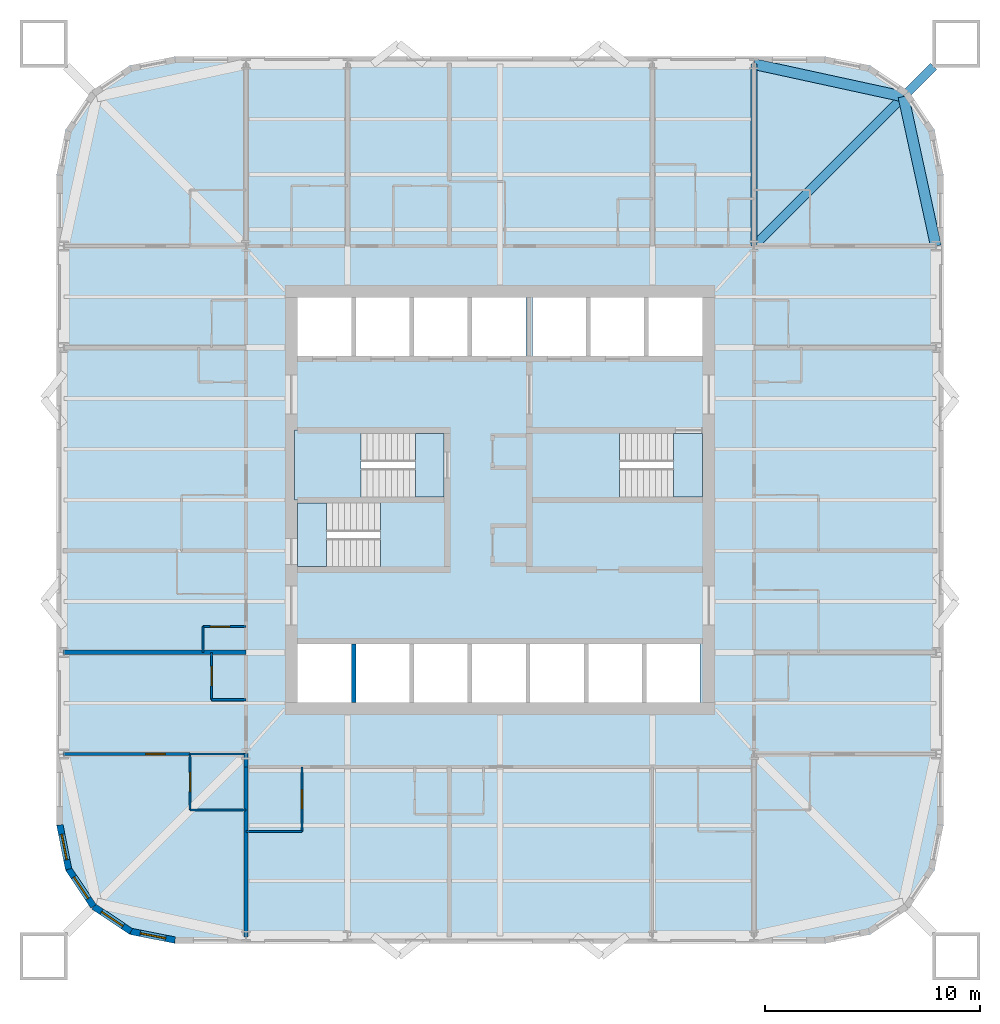
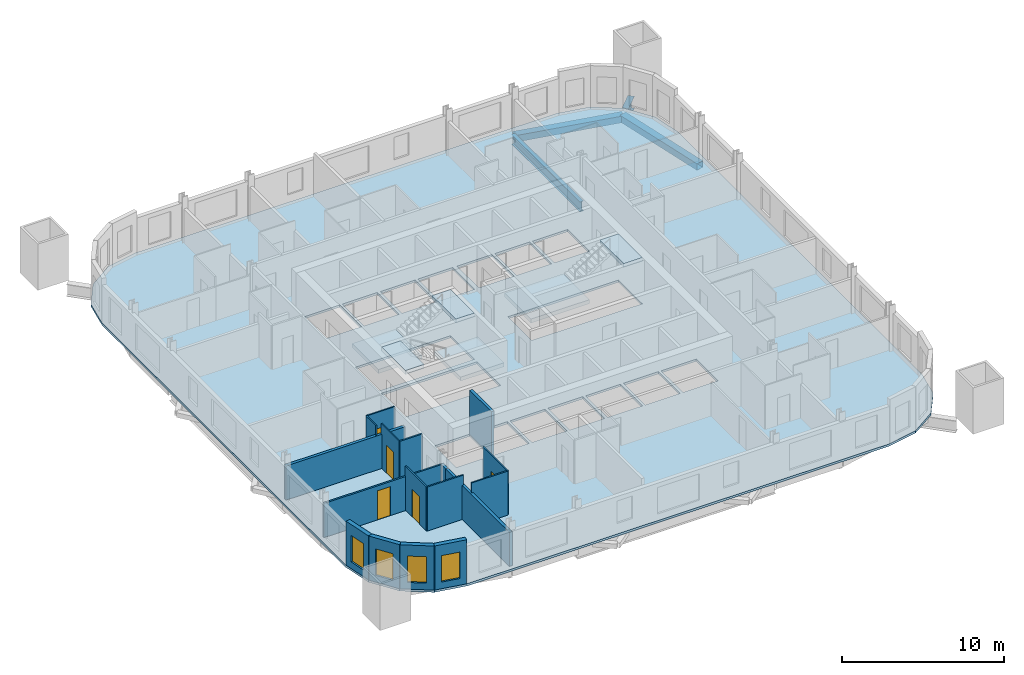
# One storey, part 2 of 9: 18 walls, 7 slabs, 5 doors, 4 beams, 4 windows, 9 openings, 3 elements without a shape of their own.
"""IFC4 building model written with IfcOpenShell, lengths in metres."""

from ifc_helpers import new_model, si_unit, direction, frame, frame_2d, origin, origin_2d, place, context, subcontext, project, spatial, polyline, rectangle, hollow_rectangle, i_section, outline, extrude, material, layer, layer_set, material_profile, profile_set, type_object, element, fill, aggregate, save


model = new_model("IFC4")

# Units and contexts
model_context = context("Model", 3, precision=1e-05, world=origin(), true_north=direction((0.0, 1.0)))
body_context = subcontext(model_context, "Body", "Model", "MODEL_VIEW")
ifc_project = project(units=[si_unit("LENGTHUNIT", "METRE"), si_unit("AREAUNIT", "SQUARE_METRE"), si_unit("VOLUMEUNIT", "CUBIC_METRE"), si_unit("PLANEANGLEUNIT", "RADIAN"), si_unit("MASSUNIT", "GRAM", prefix="KILO")], contexts=[model_context])

# Site, building, storey
site_placement = place(None, origin())
site = spatial("IfcSite", under=ifc_project, at=site_placement, CompositionType="ELEMENT")
building_placement = place(site_placement, origin())
building = spatial("IfcBuilding", under=site, at=building_placement, Name="Turquesa Mirador Hotel Tower", CompositionType="ELEMENT")
storey_placement = place(building_placement, frame((0.0, 0.0, 131.89990234375)))
storey = spatial("IfcBuildingStorey", under=building, at=storey_placement, Name="L35", CompositionType="ELEMENT", Elevation=131.89990234375)

# Beams
ifc_material_1 = material(Name="Steel ASTM A572 Grade 50", Category="steel")
ifc_material_profile_1 = material_profile(ifc_material_1, hollow_rectangle(XDim=0.5, YDim=0.5, WallThickness=0.01611328125, at=origin_2d()), Name="BOX500X500X16")
ifc_profile_set_1 = profile_set([ifc_material_profile_1], Name="Steel ASTM A572 Grade 50")
beam_type_1 = type_object("IfcBeamType", Name="BEAM BOX500X500X16", PredefinedType="BEAM", material=ifc_profile_set_1)
for number, where, z_axis, x_axis, name in (
    (1, (75.25, 56.800048828125, -0.419921875), (-0.212328336885, 0.977198381781, 0.0), (-0.977198381781, -0.212328336885, 0.0), "KE-L35-1-0"),
    (2, (73.74169921875, 63.74169921875, -0.419921875), (-0.977198381781, 0.212328336885, 0.0), (-0.212328336885, -0.977198381781, 0.0), "KE-L35-1-1"),
):
    element("IfcBeam", number, at=place(storey_placement, frame(where, z_axis=z_axis, x_axis=x_axis)), inside=storey, type_object=beam_type_1, Name=name, PredefinedType="BEAM", context=body_context, shape_type="SweptSolid", body=[
        extrude(hollow_rectangle(XDim=0.5, YDim=0.5, WallThickness=0.01611328125, at=origin_2d()), origin(), (0.0, 0.0, 1.0), 7.103515625),
    ])
ifc_material_2 = material(Name="Steel ASTM A992 Grade 50", Category="steel")
ifc_material_profile_2 = material_profile(ifc_material_2, i_section(OverallWidth=0.2666015625, OverallDepth=0.7568359375, WebThickness=0.013916015625, FlangeThickness=0.019287109375, at=origin_2d()), Name="W30X108")
ifc_profile_set_2 = profile_set([ifc_material_profile_2], Name="Steel ASTM A992 Grade 50")
beam_type_2 = type_object("IfcBeamType", Name="BEAM W30X108", PredefinedType="BEAM", material=ifc_profile_set_2)
beam_1_placement = place(storey_placement, frame((66.800048828125, 65.25, -0.54833984375), z_axis=(0.0, -1.0, 0.0), x_axis=(1.0, 0.0, 0.0)))
element("IfcBeam", 3, at=beam_1_placement, inside=storey, type_object=beam_type_2, Name="GK-L35-N-+11.80", PredefinedType="BEAM", context=body_context, shape_type="SweptSolid", body=[
    extrude(i_section(OverallWidth=0.2666015625, OverallDepth=0.7568359375, WebThickness=0.013916015625, FlangeThickness=0.019287109375, at=origin_2d()), origin(), (0.0, 0.0, 1.0), 8.449951171875),
])
ifc_material_3 = material(Name="Steel ASTM A992 Grade 50", Category="steel")
ifc_material_profile_3 = material_profile(ifc_material_3, i_section(OverallWidth=0.419189453125, OverallDepth=0.927001953125, WebThickness=0.019287109375, FlangeThickness=0.031982421875, at=origin_2d()), Name="W36X231")
ifc_profile_set_3 = profile_set([ifc_material_profile_3], Name="Steel ASTM A992 Grade 50")
beam_type_3 = type_object("IfcBeamType", Name="BEAM W36X231", PredefinedType="BEAM", material=ifc_profile_set_3)
beam_2_placement = place(storey_placement, frame((66.800048828125, 56.800048828125, -0.633544921875), z_axis=(0.707106781187, 0.707106781187, 0.0), x_axis=(-0.707106781187, 0.707106781187, 0.0)))
element("IfcBeam", 4, at=beam_2_placement, inside=storey, type_object=beam_type_3, Name="KD-L35-1", PredefinedType="BEAM", context=body_context, shape_type="SweptSolid", body=[
    extrude(i_section(OverallWidth=0.419189453125, OverallDepth=0.927001953125, WebThickness=0.019287109375, FlangeThickness=0.031982421875, at=origin_2d()), origin(), (0.0, 0.0, 1.0), 11.80859375),
])

# Slab
ifc_material_4 = material(Name="Concrete C28/35", Category="concrete")
ifc_layer_1 = layer(ifc_material_4, 0.169921875)
ifc_layer_set_1 = layer_set([ifc_layer_1], Name="COMPOSITE FLOOR SLAB 170")
slab_type_1 = type_object("IfcSlabType", Name="COMPOSITE FLOOR SLAB 170", PredefinedType="FLOOR", material=ifc_layer_set_1)
slab_1_placement = place(storey_placement, frame((0.0, 0.0, -0.169921875)))
element("IfcSlab", 5, at=slab_1_placement, inside=storey, type_object=slab_type_1, Name="Floor slab L35", PredefinedType="FLOOR", context=body_context, shape_type="SweptSolid", body=[
    extrude(outline(polyline([(70.10009765625, 24.39990234375), (72.204833984375, 24.818603515625), (73.989013671875, 26.010986328125), (75.181396484375, 27.795166015625), (75.60009765625, 29.89990234375), (75.60009765625, 60.10009765625), (75.181396484375, 62.204833984375), (73.989013671875, 63.989013671875), (72.204833984375, 65.181396484375), (70.10009765625, 65.60009765625), (39.89990234375, 65.60009765625), (37.795166015625, 65.181396484375), (36.010986328125, 63.989013671875), (34.818603515625, 62.204833984375), (34.39990234375, 60.10009765625), (34.39990234375, 29.89990234375), (34.818603515625, 27.795166015625), (36.010986328125, 26.010986328125), (37.795166015625, 24.818603515625), (39.89990234375, 24.39990234375), (70.10009765625, 24.39990234375)]), holes=[polyline([(45.60009765625, 51.699951171875), (48.10009765625, 51.699951171875), (48.10009765625, 54.39990234375), (45.60009765625, 54.39990234375), (45.60009765625, 51.699951171875)]), polyline([(48.300048828125, 51.699951171875), (50.800048828125, 51.699951171875), (50.800048828125, 54.39990234375), (48.300048828125, 54.39990234375), (48.300048828125, 51.699951171875)]), polyline([(51.0, 51.699951171875), (53.5, 51.699951171875), (53.5, 54.39990234375), (51.0, 54.39990234375), (51.0, 51.699951171875)]), polyline([(53.699951171875, 51.699951171875), (56.199951171875, 51.699951171875), (56.199951171875, 54.39990234375), (53.699951171875, 54.39990234375), (53.699951171875, 51.699951171875)]), polyline([(56.5, 51.699951171875), (59.0, 51.699951171875), (59.0, 54.39990234375), (56.5, 54.39990234375), (56.5, 51.699951171875)]), polyline([(59.199951171875, 51.699951171875), (61.699951171875, 51.699951171875), (61.699951171875, 54.39990234375), (59.199951171875, 54.39990234375), (59.199951171875, 51.699951171875)]), polyline([(45.60009765625, 35.60009765625), (48.10009765625, 35.60009765625), (48.10009765625, 38.300048828125), (45.60009765625, 38.300048828125), (45.60009765625, 35.60009765625)]), polyline([(48.300048828125, 35.60009765625), (50.800048828125, 35.60009765625), (50.800048828125, 38.300048828125), (48.300048828125, 38.300048828125), (48.300048828125, 35.60009765625)]), polyline([(51.0, 35.60009765625), (53.5, 35.60009765625), (53.5, 38.300048828125), (51.0, 38.300048828125), (51.0, 35.60009765625)]), polyline([(53.699951171875, 35.60009765625), (56.199951171875, 35.60009765625), (56.199951171875, 38.300048828125), (53.699951171875, 38.300048828125), (53.699951171875, 35.60009765625)]), polyline([(56.39990234375, 35.60009765625), (58.89990234375, 35.60009765625), (58.89990234375, 38.300048828125), (56.39990234375, 38.300048828125), (56.39990234375, 35.60009765625)]), polyline([(59.10009765625, 35.60009765625), (61.60009765625, 35.60009765625), (61.60009765625, 38.300048828125), (59.10009765625, 38.300048828125), (59.10009765625, 35.60009765625)]), polyline([(61.800048828125, 35.60009765625), (64.300048828125, 35.60009765625), (64.300048828125, 38.300048828125), (61.800048828125, 38.300048828125), (61.800048828125, 35.60009765625)]), polyline([(45.60009765625, 45.14990234375), (52.39990234375, 45.14990234375), (52.39990234375, 48.10009765625), (45.60009765625, 48.10009765625), (45.60009765625, 45.14990234375)]), polyline([(45.60009765625, 41.89990234375), (52.39990234375, 41.89990234375), (52.39990234375, 44.85009765625), (45.60009765625, 44.85009765625), (45.60009765625, 41.89990234375)]), polyline([(56.5, 45.14990234375), (64.39990234375, 45.14990234375), (64.39990234375, 48.10009765625), (56.5, 48.10009765625), (56.5, 45.14990234375)]), polyline([(61.89990234375, 51.699951171875), (64.39990234375, 51.699951171875), (64.39990234375, 54.39990234375), (61.89990234375, 54.39990234375), (61.89990234375, 51.699951171875)])]), origin(), (0.0, 0.0, 1.0), 0.169921875),
])

# Stair, slabs
ifc_material_5 = material(Name="Concrete C35/45", Category="concrete")
stair_type = type_object("IfcStairType", Name="ESCAPE STAIR CORE", PredefinedType="HALF_TURN_STAIR", material=ifc_material_5)
stair_1_placement = place(storey_placement, origin())
stair_1 = element("IfcStair", 6, at=stair_1_placement, inside=storey, type_object=stair_type, Name="Stair ST1 L35 to L36", PredefinedType="HALF_TURN_STAIR")
ifc_material_6 = material(Name="Concrete C35/45", Category="concrete")
ifc_layer_2 = layer(ifc_material_6, 0.300048828125)
ifc_layer_set_2 = layer_set([ifc_layer_2], Name="STAIR LANDING 300")
slab_type_2 = type_object("IfcSlabType", Name="STAIR LANDING 300", PredefinedType="LANDING", material=ifc_layer_set_2)
slab_2_placement = place(storey_placement, frame((0.0, 0.0, 1.4501953125)))
slab_2 = element("IfcSlab", 7, at=slab_2_placement, type_object=slab_type_2, Name="ST1 landing 1", PredefinedType="LANDING", context=body_context, shape_type="SweptSolid", body=[
    extrude(outline(polyline([(45.449951171875, 45.0), (48.550048828125, 45.0), (48.550048828125, 48.25), (45.449951171875, 48.25), (45.449951171875, 45.0)])), origin(), (0.0, 0.0, 1.0), 0.2998046875),
])
slab_3_placement = place(storey_placement, frame((0.0, 0.0, 3.2001953125)))
slab_3 = element("IfcSlab", 8, at=slab_3_placement, type_object=slab_type_2, Name="ST1 landing 2", PredefinedType="LANDING", context=body_context, shape_type="SweptSolid", body=[
    extrude(outline(polyline([(51.070068359375, 45.14990234375), (52.39990234375, 45.14990234375), (52.39990234375, 48.10009765625), (51.070068359375, 48.10009765625), (51.070068359375, 45.14990234375)])), origin(), (0.0, 0.0, 1.0), 0.2998046875),
])
aggregate(stair_1, [slab_2, slab_3])

stair_2_placement = place(storey_placement, origin())
stair_2 = element("IfcStair", 9, at=stair_2_placement, inside=storey, type_object=stair_type, Name="Stair ST2 L35 to L36", PredefinedType="HALF_TURN_STAIR")
slab_4_placement = place(storey_placement, frame((0.0, 0.0, 1.4501953125)))
slab_4 = element("IfcSlab", 10, at=slab_4_placement, type_object=slab_type_2, Name="ST2 landing 1", PredefinedType="LANDING", context=body_context, shape_type="SweptSolid", body=[
    extrude(outline(polyline([(52.550048828125, 45.0), (49.449951171875, 45.0), (49.449951171875, 41.75), (52.550048828125, 41.75), (52.550048828125, 45.0)])), origin(), (0.0, 0.0, 1.0), 0.2998046875),
])
slab_5_placement = place(storey_placement, frame((0.0, 0.0, 3.2001953125)))
slab_5 = element("IfcSlab", 11, at=slab_5_placement, type_object=slab_type_2, Name="ST2 landing 2", PredefinedType="LANDING", context=body_context, shape_type="SweptSolid", body=[
    extrude(outline(polyline([(46.929931640625, 44.85009765625), (45.60009765625, 44.85009765625), (45.60009765625, 41.89990234375), (46.929931640625, 41.89990234375), (46.929931640625, 44.85009765625)])), origin(), (0.0, 0.0, 1.0), 0.2998046875),
])
aggregate(stair_2, [slab_4, slab_5])

stair_3_placement = place(storey_placement, origin())
stair_3 = element("IfcStair", 12, at=stair_3_placement, inside=storey, type_object=stair_type, Name="Stair ST3 L35 to L36", PredefinedType="HALF_TURN_STAIR")
slab_6_placement = place(storey_placement, frame((0.0, 0.0, 1.4501953125)))
slab_6 = element("IfcSlab", 13, at=slab_6_placement, type_object=slab_type_2, Name="ST3 landing 1", PredefinedType="LANDING", context=body_context, shape_type="SweptSolid", body=[
    extrude(outline(polyline([(56.35009765625, 45.0), (60.550048828125, 45.0), (60.550048828125, 48.25), (56.35009765625, 48.25), (56.35009765625, 45.0)])), origin(), (0.0, 0.0, 1.0), 0.2998046875),
])
slab_7_placement = place(storey_placement, frame((0.0, 0.0, 3.2001953125)))
slab_7 = element("IfcSlab", 14, at=slab_7_placement, type_object=slab_type_2, Name="ST3 landing 2", PredefinedType="LANDING", context=body_context, shape_type="SweptSolid", body=[
    extrude(outline(polyline([(63.070068359375, 45.14990234375), (64.39990234375, 45.14990234375), (64.39990234375, 48.10009765625), (63.070068359375, 48.10009765625), (63.070068359375, 45.14990234375)])), origin(), (0.0, 0.0, 1.0), 0.2998046875),
])
aggregate(stair_3, [slab_6, slab_7])

# Walls
ifc_material_7 = material(Name="Gypsum board on steel studs", Category="steel")
ifc_layer_3 = layer(ifc_material_7, 0.10009765625)
ifc_layer_set_3 = layer_set([ifc_layer_3], Name="BATHROOM WALL 100")
wall_type_1 = type_object("IfcWallType", Name="BATHROOM WALL 100", PredefinedType="PARTITIONING", material=ifc_layer_set_3)
wall_1_placement = place(storey_placement, frame((40.60009765625, 33.199951171875, 0.0), z_axis=(0.0, 0.0, 1.0), x_axis=(1.0, 0.0, 0.0)))
element("IfcWall", 15, at=wall_1_placement, inside=storey, type_object=wall_type_1, Name="Partition L35 001", PredefinedType="PARTITIONING", context=body_context, shape_type="SweptSolid", body=[
    extrude(rectangle(XDim=2.599853515625, YDim=0.10009765625, at=frame_2d((1.2998046875, 0.0))), origin(), (0.0, 0.0, 1.0), 2.5732421875),
])
wall_2_placement = place(storey_placement, frame((40.60009765625, 30.60009765625, 0.0), z_axis=(0.0, 0.0, 1.0), x_axis=(1.0, 0.0, 0.0)))
element("IfcWall", 16, at=wall_2_placement, inside=storey, type_object=wall_type_1, Name="Partition L35 006", PredefinedType="PARTITIONING", context=body_context, shape_type="SweptSolid", body=[
    extrude(rectangle(XDim=2.599853515625, YDim=0.10009765625, at=frame_2d((1.2998046875, 0.0))), origin(), (0.0, 0.0, 1.0), 3.330078125),
])
wall_3_placement = place(storey_placement, frame((43.199951171875, 29.60009765625, 0.0), z_axis=(0.0, 0.0, 1.0), x_axis=(1.0, 0.0, 0.0)))
element("IfcWall", 17, at=wall_3_placement, inside=storey, type_object=wall_type_1, Name="Partition L35 010", PredefinedType="PARTITIONING", context=body_context, shape_type="SweptSolid", body=[
    extrude(rectangle(XDim=2.60009765625, YDim=0.10009765625, at=frame_2d((1.300048828125, 0.0))), origin(), (0.0, 0.0, 1.0), 3.330078125),
])

# Wall, opening, door
wall_4_placement = place(storey_placement, frame((41.199951171875, 39.1201171875, 0.0), z_axis=(0.0, 0.0, 1.0), x_axis=(1.0, 0.0, 0.0)))
wall_4 = element("IfcWall", 18, at=wall_4_placement, inside=storey, type_object=wall_type_1, Name="Partition L35 017", PredefinedType="PARTITIONING", context=body_context, shape_type="SweptSolid", body=[
    extrude(rectangle(XDim=2.0, YDim=0.10009765625, at=frame_2d((1.0, 0.0))), origin(), (0.0, 0.0, 1.0), 3.330078125),
])
opening_1_placement = place(wall_4_placement, frame((0.35009765625, 0.0, 0.0)))
opening_1 = element("IfcOpeningElement", 19, at=opening_1_placement, cuts=wall_4, Name="Opening D06", PredefinedType="OPENING", context=body_context, shape_type="SweptSolid", body=[
    extrude(rectangle(XDim=0.89990234375, YDim=2.10009765625, at=frame_2d((0.449951171875, 1.050048828125))), frame((0.0, 0.06005859375, 0.0), z_axis=(0.0, -1.0, 0.0), x_axis=(1.0, 0.0, 0.0)), (0.0, 0.0, 1.0), 0.1201171875),
])
ifc_material_8 = material(Name="Laminate door", Category="wood")
door_type_1 = type_object("IfcDoorType", Name="DOOR 900X2100 WC", OperationType="SINGLE_SWING_LEFT", PredefinedType="DOOR", material=ifc_material_8)
door_1_placement = place(opening_1_placement, origin())
door_1 = element("IfcDoor", 20, at=door_1_placement, inside=storey, type_object=door_type_1, Name="Door 3509W", OperationType="SINGLE_SWING_LEFT", OverallHeight=2.10009765625, OverallWidth=0.89990234375, PredefinedType="DOOR", context=body_context, shape_type="SweptSolid", body=[
    extrude(rectangle(XDim=0.89990234375, YDim=2.10009765625, at=frame_2d((0.449951171875, 1.050048828125))), frame((0.0, 0.02490234375, 0.0), z_axis=(0.0, -1.0, 0.0), x_axis=(1.0, 0.0, 0.0)), (0.0, 0.0, 1.0), 0.050048828125),
])
fill(opening_1, door_1)

# Wall
wall_5_placement = place(storey_placement, frame((41.60009765625, 35.719970703125, 0.0), z_axis=(0.0, 0.0, 1.0), x_axis=(1.0, 0.0, 0.0)))
element("IfcWall", 21, at=wall_5_placement, inside=storey, type_object=wall_type_1, Name="Partition L35 020", PredefinedType="PARTITIONING", context=body_context, shape_type="SweptSolid", body=[
    extrude(rectangle(XDim=1.599853515625, YDim=0.10009765625, at=frame_2d((0.7998046875, 0.0))), origin(), (0.0, 0.0, 1.0), 3.330078125),
])

# Wall, opening, door
wall_6_placement = place(storey_placement, frame((41.60009765625, 35.719970703125, 0.0), z_axis=(0.0, 0.0, 1.0), x_axis=(0.0, 1.0, 0.0)))
wall_6 = element("IfcWall", 22, at=wall_6_placement, inside=storey, type_object=wall_type_1, Name="Partition L35 047", PredefinedType="PARTITIONING", context=body_context, shape_type="SweptSolid", body=[
    extrude(rectangle(XDim=2.199951171875, YDim=0.10009765625, at=frame_2d((1.10009765625, 0.0))), origin(), (0.0, 0.0, 1.0), 3.330078125),
])
opening_2_placement = place(wall_6_placement, frame((0.64990234375, 0.0, 0.0)))
opening_2 = element("IfcOpeningElement", 23, at=opening_2_placement, cuts=wall_6, Name="Opening D06", PredefinedType="OPENING", context=body_context, shape_type="SweptSolid", body=[
    extrude(rectangle(XDim=0.89990234375, YDim=2.10009765625, at=frame_2d((0.449951171875, 1.050048828125))), frame((0.0, 0.06005859375, 0.0), z_axis=(0.0, -1.0, 0.0), x_axis=(1.0, 0.0, 0.0)), (0.0, 0.0, 1.0), 0.1201171875),
])
door_2_placement = place(opening_2_placement, origin())
door_2 = element("IfcDoor", 24, at=door_2_placement, inside=storey, type_object=door_type_1, Name="Door 3513W", OperationType="SINGLE_SWING_LEFT", OverallHeight=2.10009765625, OverallWidth=0.89990234375, PredefinedType="DOOR", context=body_context, shape_type="SweptSolid", body=[
    extrude(rectangle(XDim=0.89990234375, YDim=2.10009765625, at=frame_2d((0.449951171875, 1.050048828125))), frame((0.0, 0.02490234375, 0.0), z_axis=(0.0, -1.0, 0.0), x_axis=(1.0, 0.0, 0.0)), (0.0, 0.0, 1.0), 0.050048828125),
])
fill(opening_2, door_2)

# Wall
wall_7_placement = place(storey_placement, frame((41.199951171875, 37.919921875, 0.0), z_axis=(0.0, 0.0, 1.0), x_axis=(0.0, 1.0, 0.0)))
element("IfcWall", 25, at=wall_7_placement, inside=storey, type_object=wall_type_1, Name="Partition L35 049", PredefinedType="PARTITIONING", context=body_context, shape_type="SweptSolid", body=[
    extrude(rectangle(XDim=1.2001953125, YDim=0.10009765625, at=frame_2d((0.60009765625, 0.0))), origin(), (0.0, 0.0, 1.0), 3.330078125),
])

# Wall, opening, door
wall_8_placement = place(storey_placement, frame((40.60009765625, 30.60009765625, 0.0), z_axis=(0.0, 0.0, 1.0), x_axis=(0.0, 1.0, 0.0)))
wall_8 = element("IfcWall", 26, at=wall_8_placement, inside=storey, type_object=wall_type_1, Name="Partition L35 051", PredefinedType="PARTITIONING", context=body_context, shape_type="SweptSolid", body=[
    extrude(rectangle(XDim=2.599853515625, YDim=0.10009765625, at=frame_2d((1.2998046875, 0.0))), origin(), (0.0, 0.0, 1.0), 3.330078125),
])
opening_3_placement = place(wall_8_placement, frame((0.85009765625, 0.0, 0.0)))
opening_3 = element("IfcOpeningElement", 27, at=opening_3_placement, cuts=wall_8, Name="Opening D02", PredefinedType="OPENING", context=body_context, shape_type="SweptSolid", body=[
    extrude(rectangle(XDim=0.89990234375, YDim=2.10009765625, at=frame_2d((0.449951171875, 1.050048828125))), frame((0.0, 0.06005859375, 0.0), z_axis=(0.0, -1.0, 0.0), x_axis=(1.0, 0.0, 0.0)), (0.0, 0.0, 1.0), 0.1201171875),
])
ifc_material_9 = material(Name="Timber veneered door", Category="wood")
door_type_2 = type_object("IfcDoorType", Name="DOOR 900X2100 EN-SUITE", OperationType="SINGLE_SWING_RIGHT", PredefinedType="DOOR", material=ifc_material_9)
door_3_placement = place(opening_3_placement, origin())
door_3 = element("IfcDoor", 28, at=door_3_placement, inside=storey, type_object=door_type_2, Name="Door 3513B", OperationType="SINGLE_SWING_RIGHT", OverallHeight=2.10009765625, OverallWidth=0.89990234375, PredefinedType="DOOR", context=body_context, shape_type="SweptSolid", body=[
    extrude(rectangle(XDim=0.89990234375, YDim=2.10009765625, at=frame_2d((0.449951171875, 1.050048828125))), frame((0.0, 0.02490234375, 0.0), z_axis=(0.0, -1.0, 0.0), x_axis=(1.0, 0.0, 0.0)), (0.0, 0.0, 1.0), 0.050048828125),
])
fill(opening_3, door_3)

wall_9_placement = place(storey_placement, frame((45.800048828125, 29.60009765625, 0.0), z_axis=(0.0, 0.0, 1.0), x_axis=(0.0, 1.0, 0.0)))
wall_9 = element("IfcWall", 29, at=wall_9_placement, inside=storey, type_object=wall_type_1, Name="Partition L35 061", PredefinedType="PARTITIONING", context=body_context, shape_type="SweptSolid", body=[
    extrude(rectangle(XDim=3.0, YDim=0.10009765625, at=frame_2d((1.5, 0.0))), origin(), (0.0, 0.0, 1.0), 3.330078125),
])
opening_4_placement = place(wall_9_placement, frame((1.050048828125, 0.0, 0.0)))
opening_4 = element("IfcOpeningElement", 30, at=opening_4_placement, cuts=wall_9, Name="Opening D02", PredefinedType="OPENING", context=body_context, shape_type="SweptSolid", body=[
    extrude(rectangle(XDim=0.89990234375, YDim=2.10009765625, at=frame_2d((0.449951171875, 1.050048828125))), frame((0.0, 0.06005859375, 0.0), z_axis=(0.0, -1.0, 0.0), x_axis=(1.0, 0.0, 0.0)), (0.0, 0.0, 1.0), 0.1201171875),
])
door_4_placement = place(opening_4_placement, origin())
door_4 = element("IfcDoor", 31, at=door_4_placement, inside=storey, type_object=door_type_2, Name="Door 3505B", OperationType="SINGLE_SWING_RIGHT", OverallHeight=2.10009765625, OverallWidth=0.89990234375, PredefinedType="DOOR", context=body_context, shape_type="SweptSolid", body=[
    extrude(rectangle(XDim=0.89990234375, YDim=2.10009765625, at=frame_2d((0.449951171875, 1.050048828125))), frame((0.0, 0.02490234375, 0.0), z_axis=(0.0, -1.0, 0.0), x_axis=(1.0, 0.0, 0.0)), (0.0, 0.0, 1.0), 0.050048828125),
])
fill(opening_4, door_4)

# Wall
ifc_material_10 = material(Name="Fire-rated gypsum board on steel studs", Category="steel")
ifc_layer_4 = layer(ifc_material_10, 0.199951171875)
ifc_layer_set_4 = layer_set([ifc_layer_4], Name="CORRIDOR WALL 200")
wall_type_2 = type_object("IfcWallType", Name="CORRIDOR WALL 200", PredefinedType="PARTITIONING", material=ifc_layer_set_4)
wall_10_placement = place(storey_placement, frame((43.199951171875, 32.60009765625, 0.0), z_axis=(0.0, 0.0, 1.0), x_axis=(0.0, 1.0, 0.0)))
element("IfcWall", 32, at=wall_10_placement, inside=storey, type_object=wall_type_2, Name="Partition L35 080", PredefinedType="PARTITIONING", context=body_context, shape_type="SweptSolid", body=[
    extrude(rectangle(XDim=0.619873046875, YDim=0.199951171875, at=frame_2d((0.31005859375, 0.0))), origin(), (0.0, 0.0, 1.0), 2.5732421875),
])

# Wall, opening, window
ifc_material_11 = material(Name="Limestone cladding on concrete block", Category="masonry")
ifc_layer_5 = layer(ifc_material_11, 0.300048828125)
ifc_layer_set_5 = layer_set([ifc_layer_5], Name="FACADE WALL 300 STONE SCREEN")
wall_type_3 = type_object("IfcWallType", Name="FACADE WALL 300 STONE SCREEN", PredefinedType="SOLIDWALL", material=ifc_layer_set_5)
wall_11_placement = place(storey_placement, frame((34.550048828125, 29.89990234375, 0.0), z_axis=(0.0, 0.0, 1.0), x_axis=(0.195081421501, -0.980787050784, 0.0)))
wall_11 = element("IfcWall", 33, at=wall_11_placement, inside=storey, type_object=wall_type_3, Name="Facade wall L35 15", PredefinedType="SOLIDWALL", context=body_context, shape_type="SweptSolid", body=[
    extrude(rectangle(XDim=2.08740234375, YDim=0.300048828125, at=frame_2d((1.043701171875, 0.0))), origin(), (0.0, 0.0, 1.0), 3.330078125),
])
opening_5_placement = place(wall_11_placement, frame((0.443603515625, 0.0, 0.5)))
opening_5 = element("IfcOpeningElement", 34, at=opening_5_placement, cuts=wall_11, Name="Opening WN4", PredefinedType="OPENING", context=body_context, shape_type="SweptSolid", body=[
    extrude(rectangle(XDim=1.199951171875, YDim=2.0, at=frame_2d((0.60009765625, 1.0))), frame((0.0, 0.159912109375, 0.0), z_axis=(0.0, -1.0, 0.0), x_axis=(1.0, 0.0, 0.0)), (0.0, 0.0, 1.0), 0.320068359375),
])
ifc_material_12 = material(Name="Ceramic-fritted laminated glass", Category="glass")
window_type = type_object("IfcWindowType", Name="FRITTED CORNER WINDOW 1200X2000", PartitioningType="DOUBLE_PANEL_HORIZONTAL", PredefinedType="WINDOW", material=ifc_material_12)
window_1_placement = place(opening_5_placement, origin())
window_1 = element("IfcWindow", 35, at=window_1_placement, inside=storey, type_object=window_type, Name="Window L35", OverallHeight=2.0, OverallWidth=1.199951171875, PartitioningType="SINGLE_PANEL", PredefinedType="WINDOW", context=body_context, shape_type="SweptSolid", body=[
    extrude(rectangle(XDim=1.199951171875, YDim=2.0, at=frame_2d((0.60009765625, 1.0))), frame((0.0, 0.030029296875, 0.0), z_axis=(0.0, -1.0, 0.0), x_axis=(1.0, 0.0, 0.0)), (0.0, 0.0, 1.0), 0.06005859375),
])
fill(opening_5, window_1)

wall_12_placement = place(storey_placement, frame((34.957275390625, 27.8525390625, 0.0), z_axis=(0.0, 0.0, 1.0), x_axis=(0.555563607591, -0.831474039234, 0.0)))
wall_12 = element("IfcWall", 36, at=wall_12_placement, inside=storey, type_object=wall_type_3, Name="Facade wall L35 16", PredefinedType="SOLIDWALL", context=body_context, shape_type="SweptSolid", body=[
    extrude(rectangle(XDim=2.08740234375, YDim=0.300048828125, at=frame_2d((1.043701171875, 0.0))), origin(), (0.0, 0.0, 1.0), 3.330078125),
])
opening_6_placement = place(wall_12_placement, frame((0.443603515625, 0.0, 0.5)))
opening_6 = element("IfcOpeningElement", 37, at=opening_6_placement, cuts=wall_12, Name="Opening WN4", PredefinedType="OPENING", context=body_context, shape_type="SweptSolid", body=[
    extrude(rectangle(XDim=1.199951171875, YDim=2.0, at=frame_2d((0.60009765625, 1.0))), frame((0.0, 0.159912109375, 0.0), z_axis=(0.0, -1.0, 0.0), x_axis=(1.0, 0.0, 0.0)), (0.0, 0.0, 1.0), 0.320068359375),
])
window_2_placement = place(opening_6_placement, origin())
window_2 = element("IfcWindow", 38, at=window_2_placement, inside=storey, type_object=window_type, Name="Window L35", OverallHeight=2.0, OverallWidth=1.199951171875, PartitioningType="SINGLE_PANEL", PredefinedType="WINDOW", context=body_context, shape_type="SweptSolid", body=[
    extrude(rectangle(XDim=1.199951171875, YDim=2.0, at=frame_2d((0.60009765625, 1.0))), frame((0.0, 0.030029296875, 0.0), z_axis=(0.0, -1.0, 0.0), x_axis=(1.0, 0.0, 0.0)), (0.0, 0.0, 1.0), 0.06005859375),
])
fill(opening_6, window_2)

wall_13_placement = place(storey_placement, frame((36.116943359375, 26.116943359375, 0.0), z_axis=(0.0, 0.0, 1.0), x_axis=(0.831474039234, -0.555563607591, 0.0)))
wall_13 = element("IfcWall", 39, at=wall_13_placement, inside=storey, type_object=wall_type_3, Name="Facade wall L35 17", PredefinedType="SOLIDWALL", context=body_context, shape_type="SweptSolid", body=[
    extrude(rectangle(XDim=2.08740234375, YDim=0.300048828125, at=frame_2d((1.043701171875, 0.0))), origin(), (0.0, 0.0, 1.0), 3.330078125),
])
opening_7_placement = place(wall_13_placement, frame((0.443603515625, 0.0, 0.5)))
opening_7 = element("IfcOpeningElement", 40, at=opening_7_placement, cuts=wall_13, Name="Opening WN4", PredefinedType="OPENING", context=body_context, shape_type="SweptSolid", body=[
    extrude(rectangle(XDim=1.199951171875, YDim=2.0, at=frame_2d((0.60009765625, 1.0))), frame((0.0, 0.159912109375, 0.0), z_axis=(0.0, -1.0, 0.0), x_axis=(1.0, 0.0, 0.0)), (0.0, 0.0, 1.0), 0.320068359375),
])
window_3_placement = place(opening_7_placement, origin())
window_3 = element("IfcWindow", 41, at=window_3_placement, inside=storey, type_object=window_type, Name="Window L35", OverallHeight=2.0, OverallWidth=1.199951171875, PartitioningType="SINGLE_PANEL", PredefinedType="WINDOW", context=body_context, shape_type="SweptSolid", body=[
    extrude(rectangle(XDim=1.199951171875, YDim=2.0, at=frame_2d((0.60009765625, 1.0))), frame((0.0, 0.030029296875, 0.0), z_axis=(0.0, -1.0, 0.0), x_axis=(1.0, 0.0, 0.0)), (0.0, 0.0, 1.0), 0.06005859375),
])
fill(opening_7, window_3)

wall_14_placement = place(storey_placement, frame((37.8525390625, 24.957275390625, 0.0), z_axis=(0.0, 0.0, 1.0), x_axis=(0.980787050784, -0.195081421501, 0.0)))
wall_14 = element("IfcWall", 42, at=wall_14_placement, inside=storey, type_object=wall_type_3, Name="Facade wall L35 18", PredefinedType="SOLIDWALL", context=body_context, shape_type="SweptSolid", body=[
    extrude(rectangle(XDim=2.08740234375, YDim=0.300048828125, at=frame_2d((1.043701171875, 0.0))), origin(), (0.0, 0.0, 1.0), 3.330078125),
])
opening_8_placement = place(wall_14_placement, frame((0.443603515625, 0.0, 0.5)))
opening_8 = element("IfcOpeningElement", 43, at=opening_8_placement, cuts=wall_14, Name="Opening WN4", PredefinedType="OPENING", context=body_context, shape_type="SweptSolid", body=[
    extrude(rectangle(XDim=1.199951171875, YDim=2.0, at=frame_2d((0.60009765625, 1.0))), frame((0.0, 0.159912109375, 0.0), z_axis=(0.0, -1.0, 0.0), x_axis=(1.0, 0.0, 0.0)), (0.0, 0.0, 1.0), 0.320068359375),
])
window_4_placement = place(opening_8_placement, origin())
window_4 = element("IfcWindow", 44, at=window_4_placement, inside=storey, type_object=window_type, Name="Window L35", OverallHeight=2.0, OverallWidth=1.199951171875, PartitioningType="SINGLE_PANEL", PredefinedType="WINDOW", context=body_context, shape_type="SweptSolid", body=[
    extrude(rectangle(XDim=1.199951171875, YDim=2.0, at=frame_2d((0.60009765625, 1.0))), frame((0.0, 0.030029296875, 0.0), z_axis=(0.0, -1.0, 0.0), x_axis=(1.0, 0.0, 0.0)), (0.0, 0.0, 1.0), 0.06005859375),
])
fill(opening_8, window_4)

# Walls
ifc_material_13 = material(Name="Fire-rated gypsum shaft wall on steel studs", Category="steel")
ifc_layer_6 = layer(ifc_material_13, 0.199951171875)
ifc_layer_set_6 = layer_set([ifc_layer_6], Name="LIFT SHAFT DIVIDER 200")
wall_type_4 = type_object("IfcWallType", Name="LIFT SHAFT DIVIDER 200", PredefinedType="PARTITIONING", material=ifc_layer_set_6)
wall_15_placement = place(storey_placement, frame((48.199951171875, 35.60009765625, 0.0), z_axis=(0.0, 0.0, 1.0), x_axis=(0.0, 1.0, 0.0)))
element("IfcWall", 45, at=wall_15_placement, inside=storey, type_object=wall_type_4, Name="Lift shaft divider", PredefinedType="PARTITIONING", context=body_context, shape_type="SweptSolid", body=[
    extrude(rectangle(XDim=2.699951171875, YDim=0.199951171875, at=frame_2d((1.35009765625, 0.0))), origin(), (0.0, 0.0, 1.0), 3.330078125),
])
ifc_material_14 = material(Name="Fire-rated gypsum board on steel studs", Category="steel")
ifc_layer_7 = layer(ifc_material_14, 0.199951171875)
ifc_layer_set_7 = layer_set([ifc_layer_7], Name="PARTY WALL 200")
wall_type_5 = type_object("IfcWallType", Name="PARTY WALL 200", PredefinedType="PARTITIONING", material=ifc_layer_set_7)
wall_16_placement = place(storey_placement, frame((34.699951171875, 37.919921875, 0.0), z_axis=(0.0, 0.0, 1.0), x_axis=(1.0, 0.0, 0.0)))
element("IfcWall", 46, at=wall_16_placement, inside=storey, type_object=wall_type_5, Name="Partition L35 018", PredefinedType="PARTITIONING", context=body_context, shape_type="SweptSolid", body=[
    extrude(rectangle(XDim=8.5, YDim=0.199951171875, at=frame_2d((4.25, 0.0))), origin(), (0.0, 0.0, 1.0), 2.5732421875),
])
wall_17_placement = place(storey_placement, frame((43.199951171875, 24.699951171875, 0.0), z_axis=(0.0, 0.0, 1.0), x_axis=(0.0, 1.0, 0.0)))
element("IfcWall", 47, at=wall_17_placement, inside=storey, type_object=wall_type_5, Name="Partition L35 045", PredefinedType="PARTITIONING", context=body_context, shape_type="SweptSolid", body=[
    extrude(rectangle(XDim=7.900146484375, YDim=0.199951171875, at=frame_2d((3.9501953125, 0.0))), origin(), (0.0, 0.0, 1.0), 2.5732421875),
])

# Wall, opening, door
ifc_material_15 = material(Name="Acoustic gypsum board on steel studs", Category="steel")
ifc_layer_8 = layer(ifc_material_15, 0.125)
ifc_layer_set_8 = layer_set([ifc_layer_8], Name="SUITE PARTITION 125")
wall_type_6 = type_object("IfcWallType", Name="SUITE PARTITION 125", PredefinedType="PARTITIONING", material=ifc_layer_set_8)
wall_18_placement = place(storey_placement, frame((34.699951171875, 33.199951171875, 0.0), z_axis=(0.0, 0.0, 1.0), x_axis=(1.0, 0.0, 0.0)))
wall_18 = element("IfcWall", 48, at=wall_18_placement, inside=storey, type_object=wall_type_6, Name="Partition L35 003", PredefinedType="PARTITIONING", context=body_context, shape_type="SweptSolid", body=[
    extrude(rectangle(XDim=5.900146484375, YDim=0.125, at=frame_2d((2.9501953125, 0.0))), origin(), (0.0, 0.0, 1.0), 2.5732421875),
])
opening_9_placement = place(wall_18_placement, frame((3.85009765625, 0.0, 0.0)))
opening_9 = element("IfcOpeningElement", 49, at=opening_9_placement, cuts=wall_18, Name="Opening D17", PredefinedType="OPENING", context=body_context, shape_type="SweptSolid", body=[
    extrude(rectangle(XDim=0.89990234375, YDim=2.199951171875, at=frame_2d((0.449951171875, 1.10009765625))), frame((0.0, 0.072509765625, 0.0), z_axis=(0.0, -1.0, 0.0), x_axis=(1.0, 0.0, 0.0)), (0.0, 0.0, 1.0), 0.14501953125),
])
ifc_material_16 = material(Name="Timber veneered door", Category="wood")
door_type_3 = type_object("IfcDoorType", Name="DOOR 900X2200 SUITE INTERNAL", OperationType="SINGLE_SWING_LEFT", PredefinedType="DOOR", material=ifc_material_16)
door_5_placement = place(opening_9_placement, origin())
door_5 = element("IfcDoor", 50, at=door_5_placement, inside=storey, type_object=door_type_3, Name="Door 3513R", OperationType="SINGLE_SWING_LEFT", OverallHeight=2.199951171875, OverallWidth=0.89990234375, PredefinedType="DOOR", context=body_context, shape_type="SweptSolid", body=[
    extrude(rectangle(XDim=0.89990234375, YDim=2.199951171875, at=frame_2d((0.449951171875, 1.10009765625))), frame((0.0, 0.02490234375, 0.0), z_axis=(0.0, -1.0, 0.0), x_axis=(1.0, 0.0, 0.0)), (0.0, 0.0, 1.0), 0.050048828125),
])
fill(opening_9, door_5)

save(model, "model.ifc")
